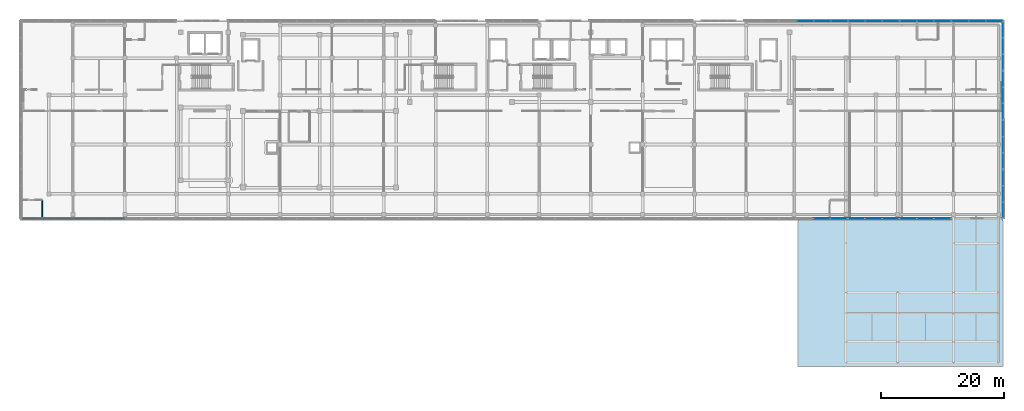
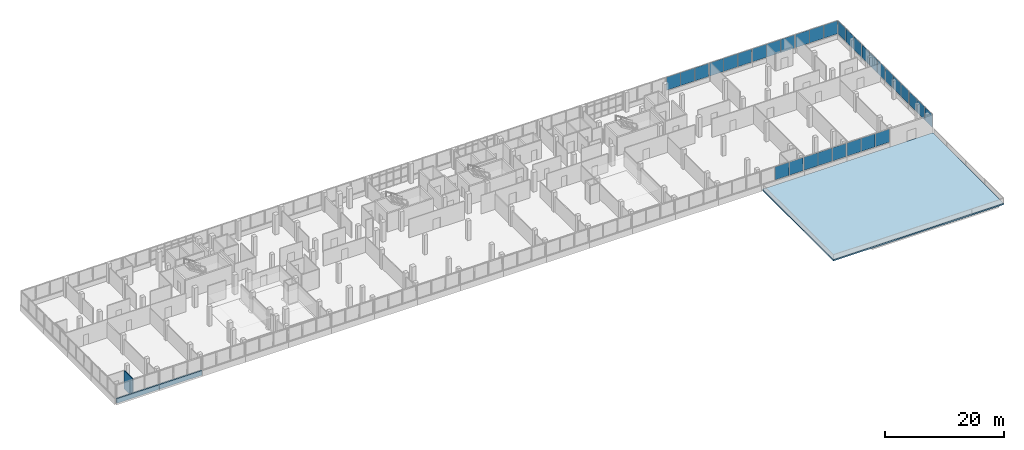
# One storey, part 65 of 76: 32 plates, 3 walls, 1 slab, 11 elements without a shape of their own.
"""IFC4 building model written with IfcOpenShell, lengths in metres."""

from ifc_helpers import new_model, si_unit, direction, frame, frame_2d, origin, origin_2d, place, context, subcontext, project, spatial, polyline, rectangle, outline, extrude, material, layer, layer_set, type_object, element, aggregate, save


model = new_model("IFC4")

# Units and contexts
model_context = context("Model", 3, precision=1e-05, world=origin(), true_north=direction((0.0, 1.0)))
body_context = subcontext(model_context, "Body", "Model", "MODEL_VIEW")
ifc_project = project(units=[si_unit("LENGTHUNIT", "METRE"), si_unit("AREAUNIT", "SQUARE_METRE"), si_unit("VOLUMEUNIT", "CUBIC_METRE"), si_unit("PLANEANGLEUNIT", "RADIAN"), si_unit("MASSUNIT", "GRAM", prefix="KILO")], contexts=[model_context])

# Site, building, storey
site_placement = place(None, origin())
site = spatial("IfcSite", under=ifc_project, at=site_placement, CompositionType="ELEMENT")
building_placement = place(site_placement, origin())
building = spatial("IfcBuilding", under=site, at=building_placement, Name="Selatvlak General Hospital", CompositionType="ELEMENT")
storey_placement = place(building_placement, frame((0.0, 0.0, 27.300048828125)))
storey = spatial("IfcBuildingStorey", under=building, at=storey_placement, Name="L06", CompositionType="ELEMENT", Elevation=27.300048828125)

# Curtain wall, plates
ifc_material_1 = material(Name="Solar-control Low-E double glazing", Category="glass")
curtain_wall_type_1 = type_object("IfcCurtainWallType", Name="CW-CW-01", PredefinedType="USERDEFINED", material=ifc_material_1)
curtain_wall_1_placement = place(storey_placement, origin())
curtain_wall_1 = element("IfcCurtainWall", 1, at=curtain_wall_1_placement, inside=storey, type_object=curtain_wall_type_1, Name="Glazed facade curtain wall CW-L06-0613", ObjectType="UNITISED CURTAIN WALL", PredefinedType="USERDEFINED")
ifc_layer_1 = layer(ifc_material_1, 0.028076171875, Name="Solar-control Low-E double glazing", Category="glass")
ifc_layer_set_1 = layer_set([ifc_layer_1], Name="Solar-control Low-E double glazing")
plate_type = type_object("IfcPlateType", Name="CWP-01", PredefinedType="CURTAIN_PANEL", material=ifc_layer_set_1)
plate_1_placement = place(storey_placement, frame((149.947509765625, 120.0, 1.0048828125), z_axis=(0.0, 0.0, 1.0), x_axis=(1.0, 0.0, 0.0)))
plate_1 = element("IfcPlate", 2, at=plate_1_placement, type_object=plate_type, Name="CW-01 panel 1.1", PredefinedType="CURTAIN_PANEL", context=body_context, shape_type="SweptSolid", body=[
    extrude(rectangle(XDim=2.6689453125, YDim=0.028076171875, at=origin_2d()), origin(), (0.0, 0.0, 1.0), 2.7099609375),
])
plate_2_placement = place(storey_placement, frame((152.697509765625, 120.0, 1.0048828125), z_axis=(0.0, 0.0, 1.0), x_axis=(1.0, 0.0, 0.0)))
plate_2 = element("IfcPlate", 3, at=plate_2_placement, type_object=plate_type, Name="CW-01 panel 2.1", PredefinedType="CURTAIN_PANEL", context=body_context, shape_type="SweptSolid", body=[
    extrude(rectangle(XDim=2.701416015625, YDim=0.028076171875, at=origin_2d()), origin(), (0.0, 0.0, 1.0), 2.7099609375),
])
plate_3_placement = place(storey_placement, frame((155.447509765625, 120.0, 1.0048828125), z_axis=(0.0, 0.0, 1.0), x_axis=(1.0, 0.0, 0.0)))
plate_3 = element("IfcPlate", 4, at=plate_3_placement, type_object=plate_type, Name="CW-01 panel 3.1", PredefinedType="CURTAIN_PANEL", context=body_context, shape_type="SweptSolid", body=[
    extrude(rectangle(XDim=2.6689453125, YDim=0.028076171875, at=origin_2d()), origin(), (0.0, 0.0, 1.0), 2.7099609375),
])
aggregate(curtain_wall_1, [plate_1, plate_2, plate_3])

curtain_wall_type_2 = type_object("IfcCurtainWallType", Name="CW-CW-02", PredefinedType="USERDEFINED", material=ifc_material_1)
curtain_wall_2_placement = place(storey_placement, origin())
curtain_wall_2 = element("IfcCurtainWall", 5, at=curtain_wall_2_placement, inside=storey, type_object=curtain_wall_type_2, Name="Glazed facade curtain wall CW-L06-0614", ObjectType="UNITISED CURTAIN WALL", PredefinedType="USERDEFINED")
plate_4_placement = place(storey_placement, frame((158.326416015625, 120.0, 1.0048828125), z_axis=(0.0, 0.0, 1.0), x_axis=(1.0, 0.0, 0.0)))
plate_4 = element("IfcPlate", 6, at=plate_4_placement, type_object=plate_type, Name="CW-02 panel 1.1", PredefinedType="CURTAIN_PANEL", context=body_context, shape_type="SweptSolid", body=[
    extrude(rectangle(XDim=2.6689453125, YDim=0.028076171875, at=origin_2d()), origin(), (0.0, 0.0, 1.0), 2.7099609375),
])
plate_5_placement = place(storey_placement, frame((161.076416015625, 120.0, 1.0048828125), z_axis=(0.0, 0.0, 1.0), x_axis=(1.0, 0.0, 0.0)))
plate_5 = element("IfcPlate", 7, at=plate_5_placement, type_object=plate_type, Name="CW-02 panel 2.1", PredefinedType="CURTAIN_PANEL", context=body_context, shape_type="SweptSolid", body=[
    extrude(rectangle(XDim=2.701416015625, YDim=0.028076171875, at=origin_2d()), origin(), (0.0, 0.0, 1.0), 2.7099609375),
])
plate_6_placement = place(storey_placement, frame((163.82666015625, 120.0, 1.0048828125), z_axis=(0.0, 0.0, 1.0), x_axis=(1.0, 0.0, 0.0)))
plate_6 = element("IfcPlate", 8, at=plate_6_placement, type_object=plate_type, Name="CW-02 panel 3.1", PredefinedType="CURTAIN_PANEL", context=body_context, shape_type="SweptSolid", body=[
    extrude(rectangle(XDim=2.6689453125, YDim=0.028076171875, at=origin_2d()), origin(), (0.0, 0.0, 1.0), 2.7099609375),
])
aggregate(curtain_wall_2, [plate_4, plate_5, plate_6])

curtain_wall_3_placement = place(storey_placement, origin())
curtain_wall_3 = element("IfcCurtainWall", 9, at=curtain_wall_3_placement, inside=storey, type_object=curtain_wall_type_1, Name="Glazed facade curtain wall CW-L06-0615", ObjectType="UNITISED CURTAIN WALL", PredefinedType="USERDEFINED")
plate_7_placement = place(storey_placement, frame((166.705322265625, 120.0, 1.0048828125), z_axis=(0.0, 0.0, 1.0), x_axis=(1.0, 0.0, 0.0)))
plate_7 = element("IfcPlate", 10, at=plate_7_placement, type_object=plate_type, Name="CW-01 panel 1.1", PredefinedType="CURTAIN_PANEL", context=body_context, shape_type="SweptSolid", body=[
    extrude(rectangle(XDim=2.6689453125, YDim=0.028076171875, at=origin_2d()), origin(), (0.0, 0.0, 1.0), 2.7099609375),
])
plate_8_placement = place(storey_placement, frame((169.45556640625, 120.0, 1.0048828125), z_axis=(0.0, 0.0, 1.0), x_axis=(1.0, 0.0, 0.0)))
plate_8 = element("IfcPlate", 11, at=plate_8_placement, type_object=plate_type, Name="CW-01 panel 2.1", PredefinedType="CURTAIN_PANEL", context=body_context, shape_type="SweptSolid", body=[
    extrude(rectangle(XDim=2.701416015625, YDim=0.028076171875, at=origin_2d()), origin(), (0.0, 0.0, 1.0), 2.7099609375),
])
plate_9_placement = place(storey_placement, frame((172.20556640625, 120.0, 1.0048828125), z_axis=(0.0, 0.0, 1.0), x_axis=(1.0, 0.0, 0.0)))
plate_9 = element("IfcPlate", 12, at=plate_9_placement, type_object=plate_type, Name="CW-01 panel 3.1", PredefinedType="CURTAIN_PANEL", context=body_context, shape_type="SweptSolid", body=[
    extrude(rectangle(XDim=2.6689453125, YDim=0.028076171875, at=origin_2d()), origin(), (0.0, 0.0, 1.0), 2.7099609375),
])
aggregate(curtain_wall_3, [plate_7, plate_8, plate_9])

curtain_wall_4_placement = place(storey_placement, origin())
curtain_wall_4 = element("IfcCurtainWall", 13, at=curtain_wall_4_placement, inside=storey, type_object=curtain_wall_type_2, Name="Glazed facade curtain wall CW-L06-0616", ObjectType="UNITISED CURTAIN WALL", PredefinedType="USERDEFINED")
plate_10_placement = place(storey_placement, frame((175.08447265625, 120.0, 1.0048828125), z_axis=(0.0, 0.0, 1.0), x_axis=(1.0, 0.0, 0.0)))
plate_10 = element("IfcPlate", 14, at=plate_10_placement, type_object=plate_type, Name="CW-02 panel 1.1", PredefinedType="CURTAIN_PANEL", context=body_context, shape_type="SweptSolid", body=[
    extrude(rectangle(XDim=2.6689453125, YDim=0.028076171875, at=origin_2d()), origin(), (0.0, 0.0, 1.0), 2.7099609375),
])
plate_11_placement = place(storey_placement, frame((177.83447265625, 120.0, 1.0048828125), z_axis=(0.0, 0.0, 1.0), x_axis=(1.0, 0.0, 0.0)))
plate_11 = element("IfcPlate", 15, at=plate_11_placement, type_object=plate_type, Name="CW-02 panel 2.1", PredefinedType="CURTAIN_PANEL", context=body_context, shape_type="SweptSolid", body=[
    extrude(rectangle(XDim=2.701416015625, YDim=0.028076171875, at=origin_2d()), origin(), (0.0, 0.0, 1.0), 2.7099609375),
])
plate_12_placement = place(storey_placement, frame((180.58447265625, 120.0, 1.0048828125), z_axis=(0.0, 0.0, 1.0), x_axis=(1.0, 0.0, 0.0)))
plate_12 = element("IfcPlate", 16, at=plate_12_placement, type_object=plate_type, Name="CW-02 panel 3.1", PredefinedType="CURTAIN_PANEL", context=body_context, shape_type="SweptSolid", body=[
    extrude(rectangle(XDim=2.6689453125, YDim=0.028076171875, at=origin_2d()), origin(), (0.0, 0.0, 1.0), 2.7099609375),
])
aggregate(curtain_wall_4, [plate_10, plate_11, plate_12])

curtain_wall_5_placement = place(storey_placement, origin())
curtain_wall_5 = element("IfcCurtainWall", 17, at=curtain_wall_5_placement, inside=storey, type_object=curtain_wall_type_2, Name="Glazed facade curtain wall CW-L06-0617", ObjectType="UNITISED CURTAIN WALL", PredefinedType="USERDEFINED")
plate_13_placement = place(storey_placement, frame((181.9990234375, 118.5986328125, 1.0048828125), z_axis=(0.0, 0.0, 1.0), x_axis=(0.0, -1.0, 0.0)))
plate_13 = element("IfcPlate", 18, at=plate_13_placement, type_object=plate_type, Name="CW-02 panel 1.1", PredefinedType="CURTAIN_PANEL", context=body_context, shape_type="SweptSolid", body=[
    extrude(rectangle(XDim=2.54248046875, YDim=0.028076171875, at=origin_2d()), origin(), (0.0, 0.0, 1.0), 2.7099609375),
])
plate_14_placement = place(storey_placement, frame((181.9990234375, 115.97509765625, 1.0048828125), z_axis=(0.0, 0.0, 1.0), x_axis=(0.0, -1.0, 0.0)))
plate_14 = element("IfcPlate", 19, at=plate_14_placement, type_object=plate_type, Name="CW-02 panel 2.1", PredefinedType="CURTAIN_PANEL", context=body_context, shape_type="SweptSolid", body=[
    extrude(rectangle(XDim=2.574951171875, YDim=0.028076171875, at=origin_2d()), origin(), (0.0, 0.0, 1.0), 2.7099609375),
])
plate_15_placement = place(storey_placement, frame((181.9990234375, 113.351318359375, 1.0048828125), z_axis=(0.0, 0.0, 1.0), x_axis=(0.0, -1.0, 0.0)))
plate_15 = element("IfcPlate", 20, at=plate_15_placement, type_object=plate_type, Name="CW-02 panel 3.1", PredefinedType="CURTAIN_PANEL", context=body_context, shape_type="SweptSolid", body=[
    extrude(rectangle(XDim=2.54248046875, YDim=0.028076171875, at=origin_2d()), origin(), (0.0, 0.0, 1.0), 2.7099609375),
])
aggregate(curtain_wall_5, [plate_13, plate_14, plate_15])

curtain_wall_6_placement = place(storey_placement, origin())
curtain_wall_6 = element("IfcCurtainWall", 21, at=curtain_wall_6_placement, inside=storey, type_object=curtain_wall_type_1, Name="Glazed facade curtain wall CW-L06-0618", ObjectType="UNITISED CURTAIN WALL", PredefinedType="USERDEFINED")
plate_16_placement = place(storey_placement, frame((181.999267578125, 110.598876953125, 1.0048828125), z_axis=(0.0, 0.0, 1.0), x_axis=(0.000126278568, -0.999999992027, 0.0)))
plate_16 = element("IfcPlate", 22, at=plate_16_placement, type_object=plate_type, Name="CW-01 panel 1.1", PredefinedType="CURTAIN_PANEL", context=body_context, shape_type="SweptSolid", body=[
    extrude(rectangle(XDim=2.542236328125, YDim=0.028076171875, at=origin_2d()), origin(), (0.0, 0.0, 1.0), 2.7099609375),
])
plate_17_placement = place(storey_placement, frame((181.99951171875, 107.9755859375, 1.0048828125), z_axis=(0.0, 0.0, 1.0), x_axis=(0.000126278568, -0.999999992027, 0.0)))
plate_17 = element("IfcPlate", 23, at=plate_17_placement, type_object=plate_type, Name="CW-01 panel 2.1", PredefinedType="CURTAIN_PANEL", context=body_context, shape_type="SweptSolid", body=[
    extrude(rectangle(XDim=2.57470703125, YDim=0.028076171875, at=origin_2d()), origin(), (0.0, 0.0, 1.0), 2.7099609375),
])
plate_18_placement = place(storey_placement, frame((181.999755859375, 105.35205078125, 1.0048828125), z_axis=(0.0, 0.0, 1.0), x_axis=(0.000126278568, -0.999999992027, 0.0)))
plate_18 = element("IfcPlate", 24, at=plate_18_placement, type_object=plate_type, Name="CW-01 panel 3.1", PredefinedType="CURTAIN_PANEL", context=body_context, shape_type="SweptSolid", body=[
    extrude(rectangle(XDim=2.542236328125, YDim=0.028076171875, at=origin_2d()), origin(), (0.0, 0.0, 1.0), 2.7099609375),
])
aggregate(curtain_wall_6, [plate_16, plate_17, plate_18])

curtain_wall_7_placement = place(storey_placement, origin())
curtain_wall_7 = element("IfcCurtainWall", 25, at=curtain_wall_7_placement, inside=storey, type_object=curtain_wall_type_2, Name="Glazed facade curtain wall CW-L06-0619", ObjectType="UNITISED CURTAIN WALL", PredefinedType="USERDEFINED")
plate_19_placement = place(storey_placement, frame((182.0, 102.599853515625, 1.0048828125), z_axis=(0.0, 0.0, 1.0), x_axis=(0.0, -1.0, 0.0)))
plate_19 = element("IfcPlate", 26, at=plate_19_placement, type_object=plate_type, Name="CW-02 panel 1.1", PredefinedType="CURTAIN_PANEL", context=body_context, shape_type="SweptSolid", body=[
    extrude(rectangle(XDim=2.54248046875, YDim=0.028076171875, at=origin_2d()), origin(), (0.0, 0.0, 1.0), 2.7099609375),
])
plate_20_placement = place(storey_placement, frame((182.0, 99.97607421875, 1.0048828125), z_axis=(0.0, 0.0, 1.0), x_axis=(0.0, -1.0, 0.0)))
plate_20 = element("IfcPlate", 27, at=plate_20_placement, type_object=plate_type, Name="CW-02 panel 2.1", PredefinedType="CURTAIN_PANEL", context=body_context, shape_type="SweptSolid", body=[
    extrude(rectangle(XDim=2.574951171875, YDim=0.028076171875, at=origin_2d()), origin(), (0.0, 0.0, 1.0), 2.7099609375),
])
plate_21_placement = place(storey_placement, frame((182.0, 97.352294921875, 1.0048828125), z_axis=(0.0, 0.0, 1.0), x_axis=(0.0, -1.0, 0.0)))
plate_21 = element("IfcPlate", 28, at=plate_21_placement, type_object=plate_type, Name="CW-02 panel 3.1", PredefinedType="CURTAIN_PANEL", context=body_context, shape_type="SweptSolid", body=[
    extrude(rectangle(XDim=2.54248046875, YDim=0.028076171875, at=origin_2d()), origin(), (0.0, 0.0, 1.0), 2.7099609375),
])
aggregate(curtain_wall_7, [plate_19, plate_20, plate_21])

curtain_wall_8_placement = place(storey_placement, origin())
curtain_wall_8 = element("IfcCurtainWall", 29, at=curtain_wall_8_placement, inside=storey, type_object=curtain_wall_type_1, Name="Glazed facade curtain wall CW-L06-0620", ObjectType="UNITISED CURTAIN WALL", PredefinedType="USERDEFINED")
plate_22_placement = place(storey_placement, frame((182.0, 94.599853515625, 1.0048828125), z_axis=(0.0, 0.0, 1.0), x_axis=(0.0, -1.0, 0.0)))
plate_22 = element("IfcPlate", 30, at=plate_22_placement, type_object=plate_type, Name="CW-01 panel 1.1", PredefinedType="CURTAIN_PANEL", context=body_context, shape_type="SweptSolid", body=[
    extrude(rectangle(XDim=2.54248046875, YDim=0.028076171875, at=origin_2d()), origin(), (0.0, 0.0, 1.0), 2.7099609375),
])
plate_23_placement = place(storey_placement, frame((182.0, 91.97607421875, 1.0048828125), z_axis=(0.0, 0.0, 1.0), x_axis=(0.0, -1.0, 0.0)))
plate_23 = element("IfcPlate", 31, at=plate_23_placement, type_object=plate_type, Name="CW-01 panel 2.1", PredefinedType="CURTAIN_PANEL", context=body_context, shape_type="SweptSolid", body=[
    extrude(rectangle(XDim=2.574951171875, YDim=0.028076171875, at=origin_2d()), origin(), (0.0, 0.0, 1.0), 2.7099609375),
])
plate_24_placement = place(storey_placement, frame((182.0, 89.352294921875, 1.0048828125), z_axis=(0.0, 0.0, 1.0), x_axis=(0.0, -1.0, 0.0)))
plate_24 = element("IfcPlate", 32, at=plate_24_placement, type_object=plate_type, Name="CW-01 panel 3.1", PredefinedType="CURTAIN_PANEL", context=body_context, shape_type="SweptSolid", body=[
    extrude(rectangle(XDim=2.54248046875, YDim=0.028076171875, at=origin_2d()), origin(), (0.0, 0.0, 1.0), 2.7099609375),
])
aggregate(curtain_wall_8, [plate_22, plate_23, plate_24])

curtain_wall_9_placement = place(storey_placement, origin())
curtain_wall_9 = element("IfcCurtainWall", 33, at=curtain_wall_9_placement, inside=storey, type_object=curtain_wall_type_1, Name="Glazed facade curtain wall CW-L06-0621", ObjectType="UNITISED CURTAIN WALL", PredefinedType="USERDEFINED")
plate_25_placement = place(storey_placement, frame((172.1982421875, 88.0009765625, 1.0048828125), z_axis=(0.0, 0.0, 1.0), x_axis=(-1.0, 0.0, 0.0)))
plate_25 = element("IfcPlate", 34, at=plate_25_placement, type_object=plate_type, Name="CW-01 panel 1.1", PredefinedType="CURTAIN_PANEL", context=body_context, shape_type="SweptSolid", body=[
    extrude(rectangle(XDim=2.685546875, YDim=0.028076171875, at=origin_2d()), origin(), (0.0, 0.0, 1.0), 2.7099609375),
])
plate_26_placement = place(storey_placement, frame((169.431396484375, 88.0009765625, 1.0048828125), z_axis=(0.0, 0.0, 1.0), x_axis=(-1.0, 0.0, 0.0)))
plate_26 = element("IfcPlate", 35, at=plate_26_placement, type_object=plate_type, Name="CW-01 panel 2.1", PredefinedType="CURTAIN_PANEL", context=body_context, shape_type="SweptSolid", body=[
    extrude(rectangle(XDim=2.718017578125, YDim=0.028076171875, at=origin_2d()), origin(), (0.0, 0.0, 1.0), 2.7099609375),
])
plate_27_placement = place(storey_placement, frame((166.664794921875, 88.0009765625, 1.0048828125), z_axis=(0.0, 0.0, 1.0), x_axis=(-1.0, 0.0, 0.0)))
plate_27 = element("IfcPlate", 36, at=plate_27_placement, type_object=plate_type, Name="CW-01 panel 3.1", PredefinedType="CURTAIN_PANEL", context=body_context, shape_type="SweptSolid", body=[
    extrude(rectangle(XDim=2.685546875, YDim=0.028076171875, at=origin_2d()), origin(), (0.0, 0.0, 1.0), 2.7099609375),
])
aggregate(curtain_wall_9, [plate_25, plate_26, plate_27])

curtain_wall_10_placement = place(storey_placement, origin())
curtain_wall_10 = element("IfcCurtainWall", 37, at=curtain_wall_10_placement, inside=storey, type_object=curtain_wall_type_2, Name="Glazed facade curtain wall CW-L06-0622", ObjectType="UNITISED CURTAIN WALL", PredefinedType="USERDEFINED")
plate_28_placement = place(storey_placement, frame((163.777587890625, 88.0009765625, 1.0048828125), z_axis=(0.0, 0.0, 1.0), x_axis=(-1.0, 0.0, 0.0)))
plate_28 = element("IfcPlate", 38, at=plate_28_placement, type_object=plate_type, Name="CW-02 panel 1.1", PredefinedType="CURTAIN_PANEL", context=body_context, shape_type="SweptSolid", body=[
    extrude(rectangle(XDim=2.6689453125, YDim=0.028076171875, at=origin_2d()), origin(), (0.0, 0.0, 1.0), 2.7099609375),
])
plate_29_placement = place(storey_placement, frame((161.027587890625, 88.0009765625, 1.0048828125), z_axis=(0.0, 0.0, 1.0), x_axis=(-1.0, 0.0, 0.0)))
plate_29 = element("IfcPlate", 39, at=plate_29_placement, type_object=plate_type, Name="CW-02 panel 2.1", PredefinedType="CURTAIN_PANEL", context=body_context, shape_type="SweptSolid", body=[
    extrude(rectangle(XDim=2.701416015625, YDim=0.028076171875, at=origin_2d()), origin(), (0.0, 0.0, 1.0), 2.7099609375),
])
plate_30_placement = place(storey_placement, frame((158.27734375, 88.0009765625, 1.0048828125), z_axis=(0.0, 0.0, 1.0), x_axis=(-1.0, 0.0, 0.0)))
plate_30 = element("IfcPlate", 40, at=plate_30_placement, type_object=plate_type, Name="CW-02 panel 3.1", PredefinedType="CURTAIN_PANEL", context=body_context, shape_type="SweptSolid", body=[
    extrude(rectangle(XDim=2.6689453125, YDim=0.028076171875, at=origin_2d()), origin(), (0.0, 0.0, 1.0), 2.7099609375),
])
aggregate(curtain_wall_10, [plate_28, plate_29, plate_30])

curtain_wall_11_placement = place(storey_placement, origin())
curtain_wall_11 = element("IfcCurtainWall", 41, at=curtain_wall_11_placement, inside=storey, type_object=curtain_wall_type_1, Name="Glazed facade curtain wall CW-L06-0623", ObjectType="UNITISED CURTAIN WALL", PredefinedType="USERDEFINED")
plate_31_placement = place(storey_placement, frame((155.398681640625, 88.0009765625, 1.0048828125), z_axis=(0.0, 0.0, 1.0), x_axis=(-1.0, 0.0, 0.0)))
plate_31 = element("IfcPlate", 42, at=plate_31_placement, type_object=plate_type, Name="CW-01 panel 1.1", PredefinedType="CURTAIN_PANEL", context=body_context, shape_type="SweptSolid", body=[
    extrude(rectangle(XDim=2.6689453125, YDim=0.028076171875, at=origin_2d()), origin(), (0.0, 0.0, 1.0), 2.7099609375),
])
plate_32_placement = place(storey_placement, frame((152.6484375, 88.0009765625, 1.0048828125), z_axis=(0.0, 0.0, 1.0), x_axis=(-1.0, 0.0, 0.0)))
plate_32 = element("IfcPlate", 43, at=plate_32_placement, type_object=plate_type, Name="CW-01 panel 2.1", PredefinedType="CURTAIN_PANEL", context=body_context, shape_type="SweptSolid", body=[
    extrude(rectangle(XDim=2.701416015625, YDim=0.028076171875, at=origin_2d()), origin(), (0.0, 0.0, 1.0), 2.7099609375),
])
aggregate(curtain_wall_11, [plate_31, plate_32])

# Slab
ifc_material_2 = material(Name="Concrete C40/50", Category="concrete")
ifc_layer_2 = layer(ifc_material_2, 0.2880859375, Name="Concrete C40/50", Category="concrete")
ifc_layer_set_2 = layer_set([ifc_layer_2], Name="Concrete C40/50")
slab_type = type_object("IfcSlabType", Name="SLAB-SL-RF7", PredefinedType="ROOF", material=ifc_layer_set_2)
slab_placement = place(storey_placement, frame((0.0, 0.0, -0.2880859375)))
element("IfcSlab", 44, at=slab_placement, inside=storey, type_object=slab_type, Name="L06 roof slab ROOF-V5-TERR6", PredefinedType="ROOF", context=body_context, shape_type="SweptSolid", body=[
    extrude(outline(polyline([(182.0, 64.0), (148.800048828125, 64.0), (148.800048828125, 87.991943359375), (182.0, 87.991943359375), (182.0, 64.0)])), origin(), (0.0, 0.0, 1.0), 0.2880859375),
])

# Walls
ifc_material_3 = material(Name="Precast concrete C40/50 - white Bauhaus spandrel", Category="concrete")
ifc_layer_3 = layer(ifc_material_3, 0.280029296875, Name="Precast concrete C40/50 - white Bauhaus spandrel", Category="concrete")
ifc_layer_set_3 = layer_set([ifc_layer_3], Name="Precast concrete C40/50 - white Bauhaus spandrel")
wall_type_1 = type_object("IfcWallType", Name="WALL-EW-02", PredefinedType="SOLIDWALL", material=ifc_layer_set_3)
wall_1_placement = place(storey_placement, frame((39.555908203125, 88.0, 0.0), z_axis=(0.0, 0.0, 1.0), x_axis=(-1.0, 0.0, 0.0)))
element("IfcWall", 45, at=wall_1_placement, inside=storey, type_object=wall_type_1, Name="L06 Bauhaus spandrel sill wall 0563", PredefinedType="SOLIDWALL", context=body_context, shape_type="SweptSolid", body=[
    extrude(rectangle(XDim=8.375, YDim=0.280029296875, at=frame_2d((4.1875, 0.0))), origin(), (0.0, 0.0, 1.0), 0.93994140625),
])
wall_2_placement = place(storey_placement, frame((31.177001953125, 88.0, 0.0), z_axis=(0.0, 0.0, 1.0), x_axis=(-1.0, 0.0, 0.0)))
element("IfcWall", 46, at=wall_2_placement, inside=storey, type_object=wall_type_1, Name="L06 Bauhaus spandrel sill wall 0564", PredefinedType="SOLIDWALL", context=body_context, shape_type="SweptSolid", body=[
    extrude(rectangle(XDim=8.237060546875, YDim=0.280029296875, at=frame_2d((4.11865234375, 0.0))), origin(), (0.0, 0.0, 1.0), 0.93994140625),
])
ifc_material_4 = material(Name="Acoustic gypsum stud partition")
ifc_layer_4 = layer(ifc_material_4, 0.1650390625, Name="Acoustic gypsum stud partition")
ifc_layer_set_4 = layer_set([ifc_layer_4], Name="Acoustic gypsum stud partition")
wall_type_2 = type_object("IfcWallType", Name="WALL-PT-02", PredefinedType="PARTITIONING", material=ifc_layer_set_4)
wall_3_placement = place(storey_placement, frame((26.199951171875, 88.0419921875, 0.0), z_axis=(0.0, 0.0, 1.0), x_axis=(0.0, 1.0, 0.0)))
element("IfcWall", 47, at=wall_3_placement, inside=storey, type_object=wall_type_2, Name="L06 clinical partition PT-L06-1975", PredefinedType="PARTITIONING", context=body_context, shape_type="SweptSolid", body=[
    extrude(rectangle(XDim=2.89794921875, YDim=0.1650390625, at=frame_2d((1.448974609375, 0.0))), origin(), (0.0, 0.0, 1.0), 3.780029296875),
])

save(model, "model.ifc")
